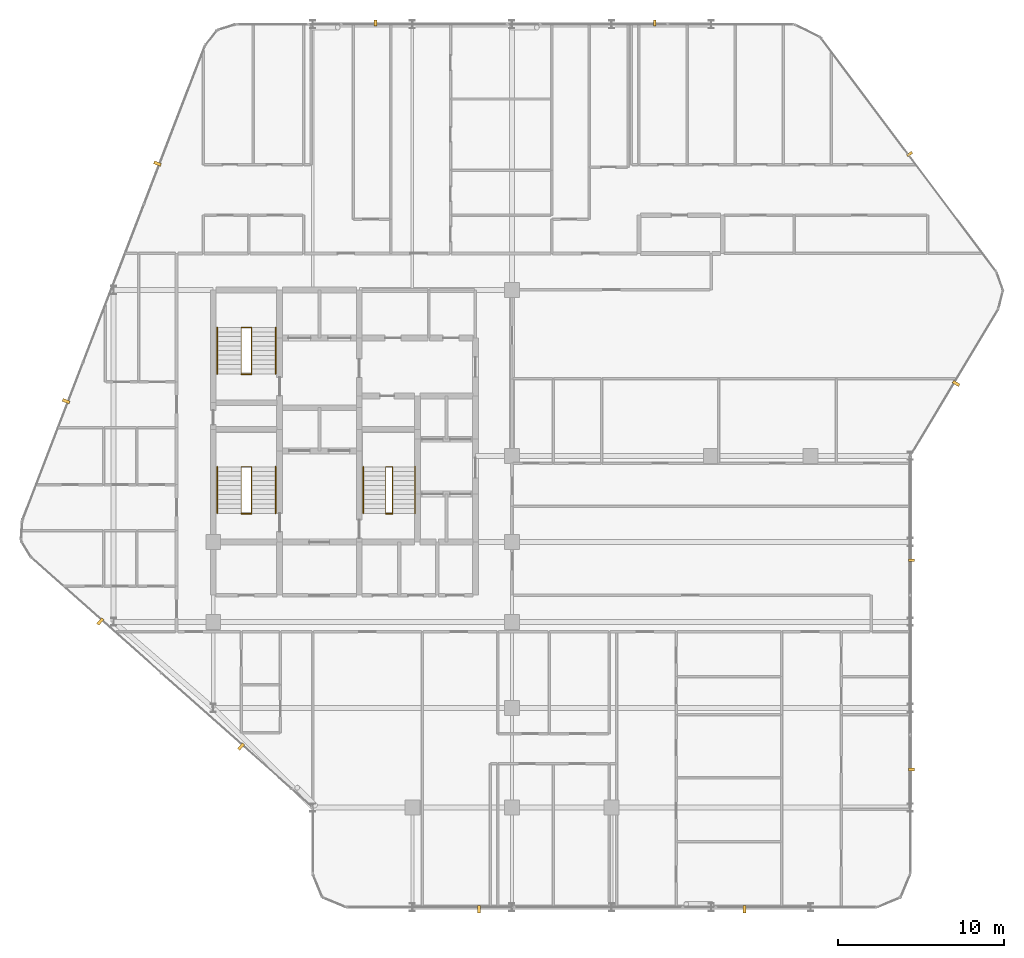
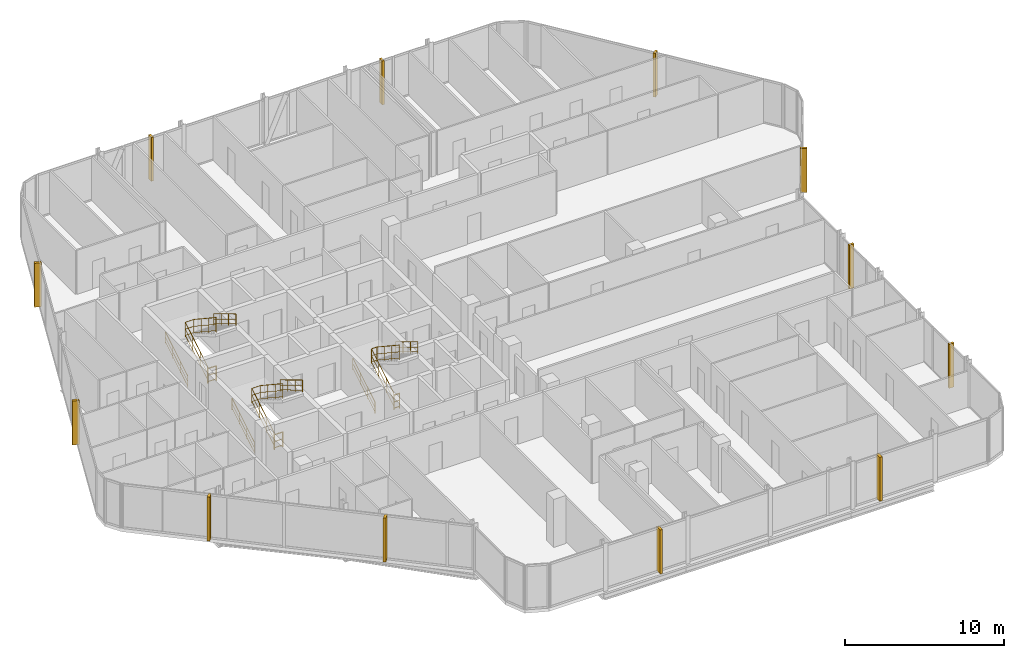
# One storey, part 31 of 31: 12 coverings, 12 railings.
"""IFC4 building model written with IfcOpenShell, lengths in metres."""

from ifc_helpers import new_model, si_unit, direction, frame, origin, origin_2d, place, context, subcontext, project, spatial, rectangle, circle, extrude, material, layer, layer_set, type_object, element, save


model = new_model("IFC4")

# Units and contexts
model_context = context("Model", 3, precision=1e-05, world=origin(), true_north=direction((0.0, 1.0)))
body_context = subcontext(model_context, "Body", "Model", "MODEL_VIEW")
ifc_project = project(units=[si_unit("LENGTHUNIT", "METRE"), si_unit("AREAUNIT", "SQUARE_METRE"), si_unit("VOLUMEUNIT", "CUBIC_METRE"), si_unit("PLANEANGLEUNIT", "RADIAN"), si_unit("MASSUNIT", "GRAM", prefix="KILO")], contexts=[model_context])

# Site, building, storey
site_placement = place(None, origin())
site = spatial("IfcSite", under=ifc_project, at=site_placement, CompositionType="ELEMENT")
building_placement = place(site_placement, origin())
building = spatial("IfcBuilding", under=site, at=building_placement, Name="Keshet Zoharim Tower", CompositionType="ELEMENT")
storey_placement = place(building_placement, frame((0.0, 0.0, 133.5)))
storey = spatial("IfcBuildingStorey", under=building, at=storey_placement, Name="L32", CompositionType="ELEMENT", Elevation=133.5)

# Coverings
ifc_material_1 = material(Name="Concrete C50/60 precast", Category="concrete")
covering_type_1 = type_object("IfcCoveringType", Name="FIN-SOL-360", PredefinedType="CLADDING", material=ifc_material_1)
for number, where, z_axis, x_axis, name in (
    (1, (24.780029296875, 53.97998046875, 0.0), (0.0, 0.0, 1.0), (1.0, 0.0, 0.0), "L32 Vertical Precast Solar Fin 07"),
    (2, (41.593994140625, 53.97998046875, 0.0), (0.0, 0.0, 1.0), (1.0, 0.0, 0.0), "L32 Vertical Precast Solar Fin 08"),
    (3, (56.9609375, 46.0859375, 0.0), (0.0, 0.0, 1.0), (0.600000000002, -0.799999999998, 0.0), "L32 Vertical Precast Solar Fin 09"),
    (4, (57.080078125, 21.60009765625, 0.0), (0.0, 0.0, 1.0), (0.0, -1.0, 0.0), "L32 Vertical Precast Solar Fin 11"),
    (5, (57.080078125, 9.0, 0.0), (0.0, 0.0, 1.0), (0.0, -1.0, 0.0), "L32 Vertical Precast Solar Fin 12"),
):
    element("IfcCovering", number, at=place(storey_placement, frame(where, z_axis=z_axis, x_axis=x_axis)), inside=storey, type_object=covering_type_1, Name=name, PredefinedType="CLADDING", context=body_context, shape_type="SweptSolid", body=[
        extrude(rectangle(XDim=0.159912109375, YDim=0.360107421875, at=origin_2d()), origin(), (0.0, 0.0, 1.0), 3.385009765625),
    ])
covering_type_2 = type_object("IfcCoveringType", Name="FIN-SOL-450", PredefinedType="CLADDING", material=ifc_material_1)
for number, where, z_axis, x_axis, name in (
    (6, (47.0, 0.574951171875, 0.0), (0.0, 0.0, 1.0), (-1.0, 0.0, 0.0), "L32 Vertical Precast Solar Fin 01"),
    (7, (31.0, 0.574951171875, 0.0), (0.0, 0.0, 1.0), (-1.0, 0.0, 0.0), "L32 Vertical Precast Solar Fin 02"),
    (8, (16.676025390625, 10.376953125, 0.0), (0.0, 0.0, 1.0), (-0.747409318679, 0.664363838836, 0.0), "L32 Vertical Precast Solar Fin 03"),
    (9, (8.193115234375, 17.9169921875, 0.0), (0.0, 0.0, 1.0), (-0.747409318679, 0.664363838836, 0.0), "L32 Vertical Precast Solar Fin 04"),
    (10, (6.133056640625, 31.194091796875, 0.0), (0.0, 0.0, 1.0), (0.358990003907, 0.933341404361, 0.0), "L32 Vertical Precast Solar Fin 05"),
    (11, (11.637939453125, 45.507080078125, 0.0), (0.0, 0.0, 1.0), (0.358990003907, 0.933341404361, 0.0), "L32 Vertical Precast Solar Fin 06"),
    (12, (59.760986328125, 32.259033203125, 0.0), (0.0, 0.0, 1.0), (-0.514481501576, -0.857501477862, 0.0), "L32 Vertical Precast Solar Fin 10"),
):
    element("IfcCovering", number, at=place(storey_placement, frame(where, z_axis=z_axis, x_axis=x_axis)), inside=storey, type_object=covering_type_2, Name=name, PredefinedType="CLADDING", context=body_context, shape_type="SweptSolid", body=[
        extrude(rectangle(XDim=0.179931640625, YDim=0.449951171875, at=origin_2d()), origin(), (0.0, 0.0, 1.0), 3.385009765625),
    ])

# Railings
ifc_material_2 = material(Name="Steel S355", Category="steel")
ifc_layer_1 = layer(ifc_material_2, 0.050048828125)
ifc_layer_set_1 = layer_set([ifc_layer_1], Name="Steel S355")
railing_type_1 = type_object("IfcRailingType", Name="RL-HND-092", PredefinedType="HANDRAIL", material=ifc_layer_set_1)
railing_1_placement = place(storey_placement, frame((15.239990234375, 24.43994140625, 0.168212890625)))
element("IfcRailing", 13, at=railing_1_placement, inside=storey, type_object=railing_type_1, Name="L32 ST-01 Flight 1 Wall Handrail", PredefinedType="HANDRAIL", context=body_context, shape_type="SweptSolid", body=[
    extrude(circle(Radius=0.02392578125, at=origin_2d()), frame((0.0, 0.0, 0.89599609375), z_axis=(0.0, 0.857242210791, 0.514913383045), x_axis=(-1.0, 0.0, 0.0)), (0.0, 0.0, 1.0), 3.266357421875),
    extrude(circle(Radius=0.01611328125, at=origin_2d()), frame((0.0, 0.0, 0.478271484375), z_axis=(0.0, 0.857242210791, 0.514913383045), x_axis=(-1.0, 0.0, 0.0)), (0.0, 0.0, 1.0), 3.266357421875),
    extrude(circle(Radius=0.01611328125, at=origin_2d()), frame((0.0, 0.0, 0.1201171875), z_axis=(0.0, 0.857242210791, 0.514913383045), x_axis=(-1.0, 0.0, 0.0)), (0.0, 0.0, 1.0), 3.266357421875),
    extrude(circle(Radius=0.02099609375, at=origin_2d()), origin(), (0.0, 0.0, 1.0), 0.871826171875),
    extrude(circle(Radius=0.02099609375, at=origin_2d()), frame((0.0, 0.933349609375, 0.560546875)), (0.0, 0.0, 1.0), 0.871826171875),
    extrude(circle(Radius=0.02099609375, at=origin_2d()), frame((0.0, 1.86669921875, 1.121337890625)), (0.0, 0.0, 1.0), 0.871826171875),
    extrude(circle(Radius=0.02099609375, at=origin_2d()), frame((0.0, 2.800048828125, 1.681884765625)), (0.0, 0.0, 1.0), 0.871826171875),
])
railing_2_placement = place(storey_placement, frame((18.760009765625, 27.239990234375, 2.018310546875)))
element("IfcRailing", 14, at=railing_2_placement, inside=storey, type_object=railing_type_1, Name="L32 ST-01 Flight 2 Wall Handrail", PredefinedType="HANDRAIL", context=body_context, shape_type="SweptSolid", body=[
    extrude(circle(Radius=0.02392578125, at=origin_2d()), frame((0.0, 0.0, 0.89599609375), z_axis=(0.0, -0.857275202839, 0.514858452973), x_axis=(1.0, 0.0, 0.0)), (0.0, 0.0, 1.0), 3.26611328125),
    extrude(circle(Radius=0.01611328125, at=origin_2d()), frame((0.0, 0.0, 0.478271484375), z_axis=(0.0, -0.857275202839, 0.514858452973), x_axis=(1.0, 0.0, 0.0)), (0.0, 0.0, 1.0), 3.26611328125),
    extrude(circle(Radius=0.01611328125, at=origin_2d()), frame((0.0, 0.0, 0.1201171875), z_axis=(0.0, -0.857275202839, 0.514858452973), x_axis=(1.0, 0.0, 0.0)), (0.0, 0.0, 1.0), 3.26611328125),
    extrude(circle(Radius=0.02099609375, at=origin_2d()), origin(), (0.0, 0.0, 1.0), 0.871826171875),
    extrude(circle(Radius=0.02099609375, at=origin_2d()), frame((0.0, -0.933349609375, 0.560546875)), (0.0, 0.0, 1.0), 0.871826171875),
    extrude(circle(Radius=0.02099609375, at=origin_2d()), frame((0.0, -1.86669921875, 1.12109375)), (0.0, 0.0, 1.0), 0.871826171875),
    extrude(circle(Radius=0.02099609375, at=origin_2d()), frame((0.0, -2.800048828125, 1.681640625)), (0.0, 0.0, 1.0), 0.871826171875),
])
railing_3_placement = place(storey_placement, frame((15.239990234375, 32.840087890625, 0.168212890625)))
element("IfcRailing", 15, at=railing_3_placement, inside=storey, type_object=railing_type_1, Name="L32 ST-02 Flight 1 Wall Handrail", PredefinedType="HANDRAIL", context=body_context, shape_type="SweptSolid", body=[
    extrude(circle(Radius=0.02392578125, at=origin_2d()), frame((0.0, 0.0, 0.89599609375), z_axis=(0.0, 0.857222391501, 0.514946377315), x_axis=(-1.0, 0.0, 0.0)), (0.0, 0.0, 1.0), 3.26611328125),
    extrude(circle(Radius=0.01611328125, at=origin_2d()), frame((0.0, 0.0, 0.478271484375), z_axis=(0.0, 0.857222391501, 0.514946377315), x_axis=(-1.0, 0.0, 0.0)), (0.0, 0.0, 1.0), 3.26611328125),
    extrude(circle(Radius=0.01611328125, at=origin_2d()), frame((0.0, 0.0, 0.1201171875), z_axis=(0.0, 0.857222391501, 0.514946377315), x_axis=(-1.0, 0.0, 0.0)), (0.0, 0.0, 1.0), 3.26611328125),
    extrude(circle(Radius=0.02099609375, at=origin_2d()), origin(), (0.0, 0.0, 1.0), 0.871826171875),
    extrude(circle(Radius=0.02099609375, at=origin_2d()), frame((0.0, 0.933349609375, 0.560546875)), (0.0, 0.0, 1.0), 0.871826171875),
    extrude(circle(Radius=0.02099609375, at=origin_2d()), frame((0.0, 1.866455078125, 1.121337890625)), (0.0, 0.0, 1.0), 0.871826171875),
    extrude(circle(Radius=0.02099609375, at=origin_2d()), frame((0.0, 2.7998046875, 1.681884765625)), (0.0, 0.0, 1.0), 0.871826171875),
])
railing_4_placement = place(storey_placement, frame((18.760009765625, 35.639892578125, 2.018310546875)))
element("IfcRailing", 16, at=railing_4_placement, inside=storey, type_object=railing_type_1, Name="L32 ST-02 Flight 2 Wall Handrail", PredefinedType="HANDRAIL", context=body_context, shape_type="SweptSolid", body=[
    extrude(circle(Radius=0.02392578125, at=origin_2d()), frame((0.0, 0.0, 0.89599609375), z_axis=(0.0, -0.857255387014, 0.514891446264), x_axis=(1.0, 0.0, 0.0)), (0.0, 0.0, 1.0), 3.26611328125),
    extrude(circle(Radius=0.01611328125, at=origin_2d()), frame((0.0, 0.0, 0.478271484375), z_axis=(0.0, -0.857255387014, 0.514891446264), x_axis=(1.0, 0.0, 0.0)), (0.0, 0.0, 1.0), 3.26611328125),
    extrude(circle(Radius=0.01611328125, at=origin_2d()), frame((0.0, 0.0, 0.1201171875), z_axis=(0.0, -0.857255387014, 0.514891446264), x_axis=(1.0, 0.0, 0.0)), (0.0, 0.0, 1.0), 3.26611328125),
    extrude(circle(Radius=0.02099609375, at=origin_2d()), origin(), (0.0, 0.0, 1.0), 0.871826171875),
    extrude(circle(Radius=0.02099609375, at=origin_2d()), frame((0.0, -0.933349609375, 0.560546875)), (0.0, 0.0, 1.0), 0.871826171875),
    extrude(circle(Radius=0.02099609375, at=origin_2d()), frame((0.0, -1.866455078125, 1.12109375)), (0.0, 0.0, 1.0), 0.871826171875),
    extrude(circle(Radius=0.02099609375, at=origin_2d()), frame((0.0, -2.7998046875, 1.681640625)), (0.0, 0.0, 1.0), 0.871826171875),
])
railing_5_placement = place(storey_placement, frame((24.0400390625, 24.43994140625, 0.168212890625)))
element("IfcRailing", 17, at=railing_5_placement, inside=storey, type_object=railing_type_1, Name="L32 ST-03 Flight 1 Wall Handrail", PredefinedType="HANDRAIL", context=body_context, shape_type="SweptSolid", body=[
    extrude(circle(Radius=0.02392578125, at=origin_2d()), frame((0.0, 0.0, 0.89599609375), z_axis=(0.0, 0.857242210791, 0.514913383045), x_axis=(-1.0, 0.0, 0.0)), (0.0, 0.0, 1.0), 3.266357421875),
    extrude(circle(Radius=0.01611328125, at=origin_2d()), frame((0.0, 0.0, 0.478271484375), z_axis=(0.0, 0.857242210791, 0.514913383045), x_axis=(-1.0, 0.0, 0.0)), (0.0, 0.0, 1.0), 3.266357421875),
    extrude(circle(Radius=0.01611328125, at=origin_2d()), frame((0.0, 0.0, 0.1201171875), z_axis=(0.0, 0.857242210791, 0.514913383045), x_axis=(-1.0, 0.0, 0.0)), (0.0, 0.0, 1.0), 3.266357421875),
    extrude(circle(Radius=0.02099609375, at=origin_2d()), origin(), (0.0, 0.0, 1.0), 0.871826171875),
    extrude(circle(Radius=0.02099609375, at=origin_2d()), frame((0.0, 0.933349609375, 0.560546875)), (0.0, 0.0, 1.0), 0.871826171875),
    extrude(circle(Radius=0.02099609375, at=origin_2d()), frame((0.0, 1.86669921875, 1.121337890625)), (0.0, 0.0, 1.0), 0.871826171875),
    extrude(circle(Radius=0.02099609375, at=origin_2d()), frame((0.0, 2.800048828125, 1.681884765625)), (0.0, 0.0, 1.0), 0.871826171875),
])
railing_6_placement = place(storey_placement, frame((27.159912109375, 27.239990234375, 2.018310546875)))
element("IfcRailing", 18, at=railing_6_placement, inside=storey, type_object=railing_type_1, Name="L32 ST-03 Flight 2 Wall Handrail", PredefinedType="HANDRAIL", context=body_context, shape_type="SweptSolid", body=[
    extrude(circle(Radius=0.02392578125, at=origin_2d()), frame((0.0, 0.0, 0.89599609375), z_axis=(0.0, -0.857275202839, 0.514858452973), x_axis=(1.0, 0.0, 0.0)), (0.0, 0.0, 1.0), 3.26611328125),
    extrude(circle(Radius=0.01611328125, at=origin_2d()), frame((0.0, 0.0, 0.478271484375), z_axis=(0.0, -0.857275202839, 0.514858452973), x_axis=(1.0, 0.0, 0.0)), (0.0, 0.0, 1.0), 3.26611328125),
    extrude(circle(Radius=0.01611328125, at=origin_2d()), frame((0.0, 0.0, 0.1201171875), z_axis=(0.0, -0.857275202839, 0.514858452973), x_axis=(1.0, 0.0, 0.0)), (0.0, 0.0, 1.0), 3.26611328125),
    extrude(circle(Radius=0.02099609375, at=origin_2d()), origin(), (0.0, 0.0, 1.0), 0.871826171875),
    extrude(circle(Radius=0.02099609375, at=origin_2d()), frame((0.0, -0.933349609375, 0.560546875)), (0.0, 0.0, 1.0), 0.871826171875),
    extrude(circle(Radius=0.02099609375, at=origin_2d()), frame((0.0, -1.86669921875, 1.12109375)), (0.0, 0.0, 1.0), 0.871826171875),
    extrude(circle(Radius=0.02099609375, at=origin_2d()), frame((0.0, -2.800048828125, 1.681640625)), (0.0, 0.0, 1.0), 0.871826171875),
])
ifc_layer_2 = layer(ifc_material_2, 0.06005859375)
ifc_layer_set_2 = layer_set([ifc_layer_2], Name="Steel S355")
railing_type_2 = type_object("IfcRailingType", Name="RL-STG-115", PredefinedType="GUARDRAIL", material=ifc_layer_set_2)
railing_7_placement = place(storey_placement, frame((16.68994140625, 24.43994140625, 0.168212890625)))
element("IfcRailing", 19, at=railing_7_placement, inside=storey, type_object=railing_type_2, Name="L32 ST-01 Inner Well Guardrail", PredefinedType="GUARDRAIL", context=body_context, shape_type="SweptSolid", body=[
    extrude(circle(Radius=0.02392578125, at=origin_2d()), frame((0.0, 0.0, 1.1259765625), z_axis=(0.0, 0.857242210791, 0.514913383045), x_axis=(-1.0, 0.0, 0.0)), (0.0, 0.0, 1.0), 3.266357421875),
    extrude(circle(Radius=0.01611328125, at=origin_2d()), frame((0.0, 0.0, 0.597900390625), z_axis=(0.0, 0.857242210791, 0.514913383045), x_axis=(-1.0, 0.0, 0.0)), (0.0, 0.0, 1.0), 3.266357421875),
    extrude(circle(Radius=0.01611328125, at=origin_2d()), frame((0.0, 0.0, 0.1201171875), z_axis=(0.0, 0.857242210791, 0.514913383045), x_axis=(-1.0, 0.0, 0.0)), (0.0, 0.0, 1.0), 3.266357421875),
    extrude(circle(Radius=0.02392578125, at=origin_2d()), frame((0.0, 2.800048828125, 2.8076171875), z_axis=(1.0, 0.0, 0.0), x_axis=(0.0, 1.0, 0.0)), (0.0, 0.0, 1.0), 0.6201171875),
    extrude(circle(Radius=0.01611328125, at=origin_2d()), frame((0.0, 2.800048828125, 2.27978515625), z_axis=(1.0, 0.0, 0.0), x_axis=(0.0, 1.0, 0.0)), (0.0, 0.0, 1.0), 0.6201171875),
    extrude(circle(Radius=0.01611328125, at=origin_2d()), frame((0.0, 2.800048828125, 1.802001953125), z_axis=(1.0, 0.0, 0.0), x_axis=(0.0, 1.0, 0.0)), (0.0, 0.0, 1.0), 0.6201171875),
    extrude(circle(Radius=0.02392578125, at=origin_2d()), frame((0.6201171875, 2.800048828125, 2.8076171875), z_axis=(0.0, -0.83435981716, 0.551220187865), x_axis=(1.0, 0.0, 0.0)), (0.0, 0.0, 1.0), 3.35595703125),
    extrude(circle(Radius=0.01611328125, at=origin_2d()), frame((0.6201171875, 2.800048828125, 2.27978515625), z_axis=(0.0, -0.83435981716, 0.551220187865), x_axis=(1.0, 0.0, 0.0)), (0.0, 0.0, 1.0), 3.35595703125),
    extrude(circle(Radius=0.01611328125, at=origin_2d()), frame((0.6201171875, 2.800048828125, 1.802001953125), z_axis=(0.0, -0.83435981716, 0.551220187865), x_axis=(1.0, 0.0, 0.0)), (0.0, 0.0, 1.0), 3.35595703125),
    extrude(circle(Radius=0.02099609375, at=origin_2d()), origin(), (0.0, 0.0, 1.0), 1.101806640625),
    extrude(circle(Radius=0.02099609375, at=origin_2d()), frame((0.0, 0.933349609375, 0.560546875)), (0.0, 0.0, 1.0), 1.101806640625),
    extrude(circle(Radius=0.02099609375, at=origin_2d()), frame((0.0, 1.86669921875, 1.121337890625)), (0.0, 0.0, 1.0), 1.101806640625),
    extrude(circle(Radius=0.02099609375, at=origin_2d()), frame((0.0, 2.800048828125, 1.681884765625)), (0.0, 0.0, 1.0), 1.101806640625),
    extrude(circle(Radius=0.02099609375, at=origin_2d()), frame((0.6201171875, 2.800048828125, 1.681884765625)), (0.0, 0.0, 1.0), 1.101806640625),
    extrude(circle(Radius=0.02099609375, at=origin_2d()), frame((0.6201171875, 1.86669921875, 2.298583984375)), (0.0, 0.0, 1.0), 1.101806640625),
    extrude(circle(Radius=0.02099609375, at=origin_2d()), frame((0.6201171875, 0.933349609375, 2.9150390625)), (0.0, 0.0, 1.0), 1.101806640625),
    extrude(circle(Radius=0.02099609375, at=origin_2d()), frame((0.6201171875, 0.0, 3.53173828125)), (0.0, 0.0, 1.0), 1.101806640625),
])
railing_8_placement = place(storey_placement, frame((16.68994140625, 24.409912109375, 0.0)))
element("IfcRailing", 20, at=railing_8_placement, inside=storey, type_object=railing_type_2, Name="L32 ST-01 Stairwell Floor Guardrail", PredefinedType="GUARDRAIL", context=body_context, shape_type="SweptSolid", body=[
    extrude(circle(Radius=0.02392578125, at=origin_2d()), frame((0.0, 0.0, 1.1259765625), z_axis=(1.0, 0.0, 0.0), x_axis=(0.0, 1.0, 0.0)), (0.0, 0.0, 1.0), 0.6201171875),
    extrude(circle(Radius=0.01611328125, at=origin_2d()), frame((0.0, 0.0, 0.597900390625), z_axis=(1.0, 0.0, 0.0), x_axis=(0.0, 1.0, 0.0)), (0.0, 0.0, 1.0), 0.6201171875),
    extrude(circle(Radius=0.01611328125, at=origin_2d()), frame((0.0, 0.0, 0.1201171875), z_axis=(1.0, 0.0, 0.0), x_axis=(0.0, 1.0, 0.0)), (0.0, 0.0, 1.0), 0.6201171875),
    extrude(circle(Radius=0.02099609375, at=origin_2d()), origin(), (0.0, 0.0, 1.0), 1.101806640625),
    extrude(circle(Radius=0.02099609375, at=origin_2d()), frame((0.6201171875, 0.0, 0.0)), (0.0, 0.0, 1.0), 1.101806640625),
])
railing_9_placement = place(storey_placement, frame((16.68994140625, 32.840087890625, 0.168212890625)))
element("IfcRailing", 21, at=railing_9_placement, inside=storey, type_object=railing_type_2, Name="L32 ST-02 Inner Well Guardrail", PredefinedType="GUARDRAIL", context=body_context, shape_type="SweptSolid", body=[
    extrude(circle(Radius=0.02392578125, at=origin_2d()), frame((0.0, 0.0, 1.1259765625), z_axis=(0.0, 0.857222391501, 0.514946377315), x_axis=(-1.0, 0.0, 0.0)), (0.0, 0.0, 1.0), 3.26611328125),
    extrude(circle(Radius=0.01611328125, at=origin_2d()), frame((0.0, 0.0, 0.597900390625), z_axis=(0.0, 0.857222391501, 0.514946377315), x_axis=(-1.0, 0.0, 0.0)), (0.0, 0.0, 1.0), 3.26611328125),
    extrude(circle(Radius=0.01611328125, at=origin_2d()), frame((0.0, 0.0, 0.1201171875), z_axis=(0.0, 0.857222391501, 0.514946377315), x_axis=(-1.0, 0.0, 0.0)), (0.0, 0.0, 1.0), 3.26611328125),
    extrude(circle(Radius=0.02392578125, at=origin_2d()), frame((0.0, 2.7998046875, 2.8076171875), z_axis=(1.0, 0.0, 0.0), x_axis=(0.0, 1.0, 0.0)), (0.0, 0.0, 1.0), 0.6201171875),
    extrude(circle(Radius=0.01611328125, at=origin_2d()), frame((0.0, 2.7998046875, 2.27978515625), z_axis=(1.0, 0.0, 0.0), x_axis=(0.0, 1.0, 0.0)), (0.0, 0.0, 1.0), 0.6201171875),
    extrude(circle(Radius=0.01611328125, at=origin_2d()), frame((0.0, 2.7998046875, 1.802001953125), z_axis=(1.0, 0.0, 0.0), x_axis=(0.0, 1.0, 0.0)), (0.0, 0.0, 1.0), 0.6201171875),
    extrude(circle(Radius=0.02392578125, at=origin_2d()), frame((0.6201171875, 2.7998046875, 2.8076171875), z_axis=(0.0, -0.834337710781, 0.551253647941), x_axis=(1.0, 0.0, 0.0)), (0.0, 0.0, 1.0), 3.355712890625),
    extrude(circle(Radius=0.01611328125, at=origin_2d()), frame((0.6201171875, 2.7998046875, 2.27978515625), z_axis=(0.0, -0.834337710781, 0.551253647941), x_axis=(1.0, 0.0, 0.0)), (0.0, 0.0, 1.0), 3.355712890625),
    extrude(circle(Radius=0.01611328125, at=origin_2d()), frame((0.6201171875, 2.7998046875, 1.802001953125), z_axis=(0.0, -0.834337710781, 0.551253647941), x_axis=(1.0, 0.0, 0.0)), (0.0, 0.0, 1.0), 3.355712890625),
    extrude(circle(Radius=0.02099609375, at=origin_2d()), origin(), (0.0, 0.0, 1.0), 1.101806640625),
    extrude(circle(Radius=0.02099609375, at=origin_2d()), frame((0.0, 0.933349609375, 0.560546875)), (0.0, 0.0, 1.0), 1.101806640625),
    extrude(circle(Radius=0.02099609375, at=origin_2d()), frame((0.0, 1.866455078125, 1.121337890625)), (0.0, 0.0, 1.0), 1.101806640625),
    extrude(circle(Radius=0.02099609375, at=origin_2d()), frame((0.0, 2.7998046875, 1.681884765625)), (0.0, 0.0, 1.0), 1.101806640625),
    extrude(circle(Radius=0.02099609375, at=origin_2d()), frame((0.6201171875, 2.7998046875, 1.681884765625)), (0.0, 0.0, 1.0), 1.101806640625),
    extrude(circle(Radius=0.02099609375, at=origin_2d()), frame((0.6201171875, 1.866455078125, 2.298583984375)), (0.0, 0.0, 1.0), 1.101806640625),
    extrude(circle(Radius=0.02099609375, at=origin_2d()), frame((0.6201171875, 0.933349609375, 2.9150390625)), (0.0, 0.0, 1.0), 1.101806640625),
    extrude(circle(Radius=0.02099609375, at=origin_2d()), frame((0.6201171875, 0.0, 3.53173828125)), (0.0, 0.0, 1.0), 1.101806640625),
])
railing_10_placement = place(storey_placement, frame((16.68994140625, 32.81005859375, 0.0)))
element("IfcRailing", 22, at=railing_10_placement, inside=storey, type_object=railing_type_2, Name="L32 ST-02 Stairwell Floor Guardrail", PredefinedType="GUARDRAIL", context=body_context, shape_type="SweptSolid", body=[
    extrude(circle(Radius=0.02392578125, at=origin_2d()), frame((0.0, 0.0, 1.1259765625), z_axis=(1.0, 0.0, 0.0), x_axis=(0.0, 1.0, 0.0)), (0.0, 0.0, 1.0), 0.6201171875),
    extrude(circle(Radius=0.01611328125, at=origin_2d()), frame((0.0, 0.0, 0.597900390625), z_axis=(1.0, 0.0, 0.0), x_axis=(0.0, 1.0, 0.0)), (0.0, 0.0, 1.0), 0.6201171875),
    extrude(circle(Radius=0.01611328125, at=origin_2d()), frame((0.0, 0.0, 0.1201171875), z_axis=(1.0, 0.0, 0.0), x_axis=(0.0, 1.0, 0.0)), (0.0, 0.0, 1.0), 0.6201171875),
    extrude(circle(Radius=0.02099609375, at=origin_2d()), origin(), (0.0, 0.0, 1.0), 1.101806640625),
    extrude(circle(Radius=0.02099609375, at=origin_2d()), frame((0.6201171875, 0.0, 0.0)), (0.0, 0.0, 1.0), 1.101806640625),
])
railing_11_placement = place(storey_placement, frame((25.39990234375, 24.43994140625, 0.168212890625)))
element("IfcRailing", 23, at=railing_11_placement, inside=storey, type_object=railing_type_2, Name="L32 ST-03 Inner Well Guardrail", PredefinedType="GUARDRAIL", context=body_context, shape_type="SweptSolid", body=[
    extrude(circle(Radius=0.02392578125, at=origin_2d()), frame((0.0, 0.0, 1.1259765625), z_axis=(0.0, 0.857242210791, 0.514913383045), x_axis=(-1.0, 0.0, 0.0)), (0.0, 0.0, 1.0), 3.266357421875),
    extrude(circle(Radius=0.01611328125, at=origin_2d()), frame((0.0, 0.0, 0.597900390625), z_axis=(0.0, 0.857242210791, 0.514913383045), x_axis=(-1.0, 0.0, 0.0)), (0.0, 0.0, 1.0), 3.266357421875),
    extrude(circle(Radius=0.01611328125, at=origin_2d()), frame((0.0, 0.0, 0.1201171875), z_axis=(0.0, 0.857242210791, 0.514913383045), x_axis=(-1.0, 0.0, 0.0)), (0.0, 0.0, 1.0), 3.266357421875),
    extrude(circle(Radius=0.02392578125, at=origin_2d()), frame((0.0, 2.800048828125, 2.8076171875), z_axis=(1.0, 0.0, 0.0), x_axis=(0.0, 1.0, 0.0)), (0.0, 0.0, 1.0), 0.400146484375),
    extrude(circle(Radius=0.01611328125, at=origin_2d()), frame((0.0, 2.800048828125, 2.27978515625), z_axis=(1.0, 0.0, 0.0), x_axis=(0.0, 1.0, 0.0)), (0.0, 0.0, 1.0), 0.400146484375),
    extrude(circle(Radius=0.01611328125, at=origin_2d()), frame((0.0, 2.800048828125, 1.802001953125), z_axis=(1.0, 0.0, 0.0), x_axis=(0.0, 1.0, 0.0)), (0.0, 0.0, 1.0), 0.400146484375),
    extrude(circle(Radius=0.02392578125, at=origin_2d()), frame((0.400146484375, 2.800048828125, 2.8076171875), z_axis=(0.0, -0.83435981716, 0.551220187865), x_axis=(1.0, 0.0, 0.0)), (0.0, 0.0, 1.0), 3.35595703125),
    extrude(circle(Radius=0.01611328125, at=origin_2d()), frame((0.400146484375, 2.800048828125, 2.27978515625), z_axis=(0.0, -0.83435981716, 0.551220187865), x_axis=(1.0, 0.0, 0.0)), (0.0, 0.0, 1.0), 3.35595703125),
    extrude(circle(Radius=0.01611328125, at=origin_2d()), frame((0.400146484375, 2.800048828125, 1.802001953125), z_axis=(0.0, -0.83435981716, 0.551220187865), x_axis=(1.0, 0.0, 0.0)), (0.0, 0.0, 1.0), 3.35595703125),
    extrude(circle(Radius=0.02099609375, at=origin_2d()), origin(), (0.0, 0.0, 1.0), 1.101806640625),
    extrude(circle(Radius=0.02099609375, at=origin_2d()), frame((0.0, 0.933349609375, 0.560546875)), (0.0, 0.0, 1.0), 1.101806640625),
    extrude(circle(Radius=0.02099609375, at=origin_2d()), frame((0.0, 1.86669921875, 1.121337890625)), (0.0, 0.0, 1.0), 1.101806640625),
    extrude(circle(Radius=0.02099609375, at=origin_2d()), frame((0.0, 2.800048828125, 1.681884765625)), (0.0, 0.0, 1.0), 1.101806640625),
    extrude(circle(Radius=0.02099609375, at=origin_2d()), frame((0.400146484375, 2.800048828125, 1.681884765625)), (0.0, 0.0, 1.0), 1.101806640625),
    extrude(circle(Radius=0.02099609375, at=origin_2d()), frame((0.400146484375, 1.86669921875, 2.298583984375)), (0.0, 0.0, 1.0), 1.101806640625),
    extrude(circle(Radius=0.02099609375, at=origin_2d()), frame((0.400146484375, 0.933349609375, 2.9150390625)), (0.0, 0.0, 1.0), 1.101806640625),
    extrude(circle(Radius=0.02099609375, at=origin_2d()), frame((0.400146484375, 0.0, 3.53173828125)), (0.0, 0.0, 1.0), 1.101806640625),
])
railing_12_placement = place(storey_placement, frame((25.39990234375, 24.409912109375, 0.0)))
element("IfcRailing", 24, at=railing_12_placement, inside=storey, type_object=railing_type_2, Name="L32 ST-03 Stairwell Floor Guardrail", PredefinedType="GUARDRAIL", context=body_context, shape_type="SweptSolid", body=[
    extrude(circle(Radius=0.02392578125, at=origin_2d()), frame((0.0, 0.0, 1.1259765625), z_axis=(1.0, 0.0, 0.0), x_axis=(0.0, 1.0, 0.0)), (0.0, 0.0, 1.0), 0.400146484375),
    extrude(circle(Radius=0.01611328125, at=origin_2d()), frame((0.0, 0.0, 0.597900390625), z_axis=(1.0, 0.0, 0.0), x_axis=(0.0, 1.0, 0.0)), (0.0, 0.0, 1.0), 0.400146484375),
    extrude(circle(Radius=0.01611328125, at=origin_2d()), frame((0.0, 0.0, 0.1201171875), z_axis=(1.0, 0.0, 0.0), x_axis=(0.0, 1.0, 0.0)), (0.0, 0.0, 1.0), 0.400146484375),
    extrude(circle(Radius=0.02099609375, at=origin_2d()), origin(), (0.0, 0.0, 1.0), 1.101806640625),
    extrude(circle(Radius=0.02099609375, at=origin_2d()), frame((0.400146484375, 0.0, 0.0)), (0.0, 0.0, 1.0), 1.101806640625),
])

save(model, "model.ifc")
